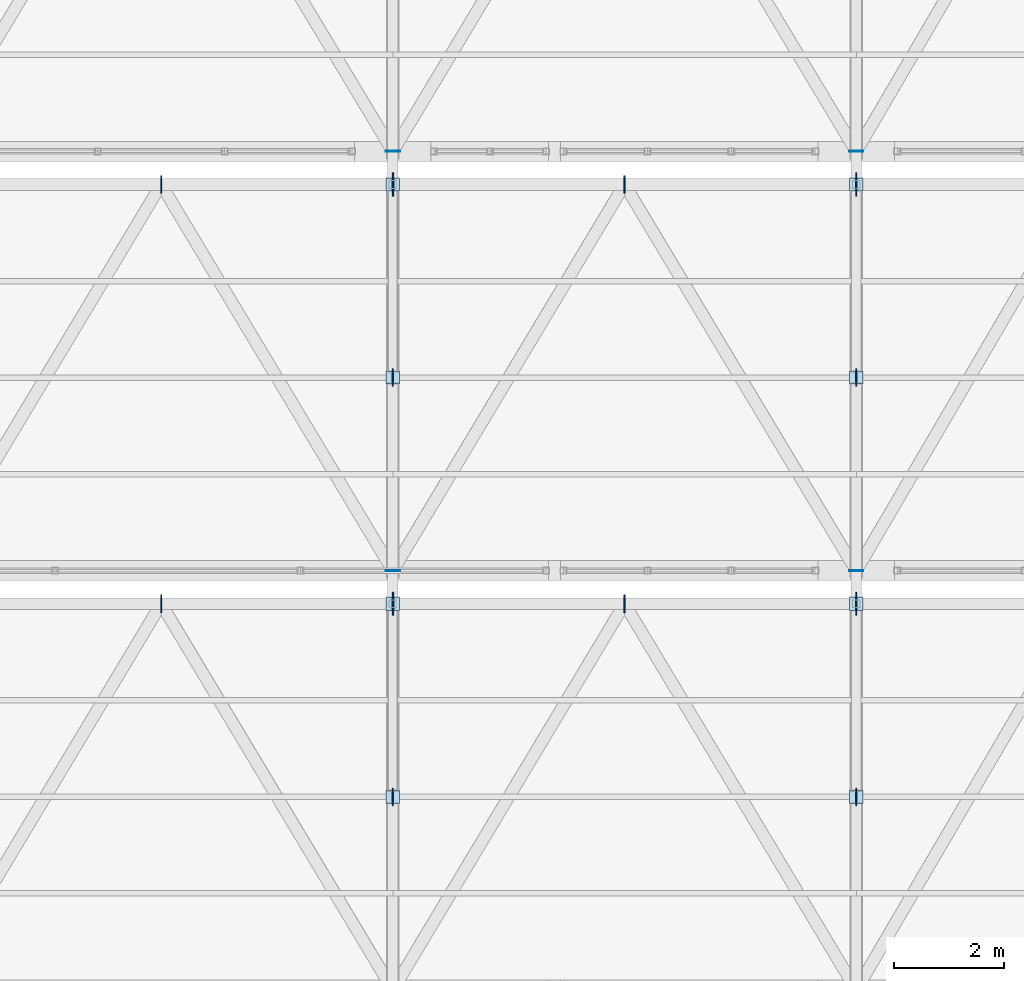
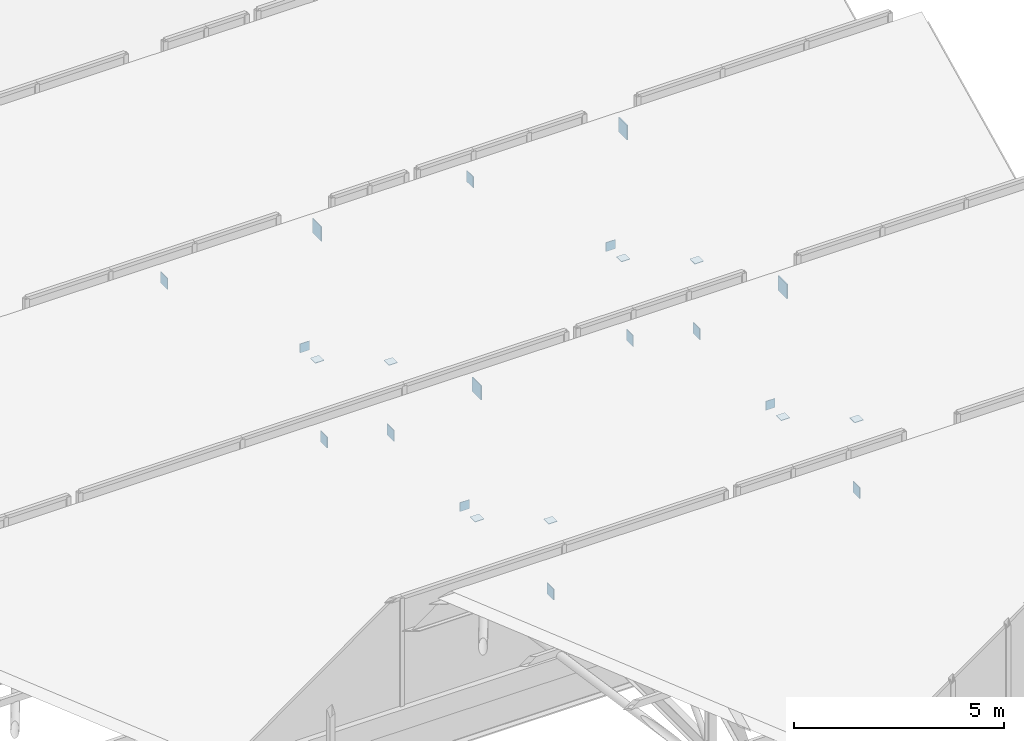
# One storey, part 47 of 57: 24 plates.
"""IFC4 building model written with IfcOpenShell, lengths in metres."""

from ifc_helpers import new_model, si_unit, direction, frame, origin, origin_2d, place, context, subcontext, project, spatial, rectangle, extrude, material, layer, layer_set, type_object, element, save


model = new_model("IFC4")

# Units and contexts
model_context = context("Model", 3, precision=1e-05, world=origin(), true_north=direction((0.0, 1.0)))
body_context = subcontext(model_context, "Body", "Model", "MODEL_VIEW")
ifc_project = project(units=[si_unit("LENGTHUNIT", "METRE"), si_unit("AREAUNIT", "SQUARE_METRE"), si_unit("VOLUMEUNIT", "CUBIC_METRE"), si_unit("PLANEANGLEUNIT", "RADIAN"), si_unit("MASSUNIT", "GRAM", prefix="KILO")], contexts=[model_context])

# Site, building, storey
site_placement = place(None, origin())
site = spatial("IfcSite", under=ifc_project, at=site_placement, CompositionType="ELEMENT")
building_placement = place(site_placement, origin())
building = spatial("IfcBuilding", under=site, at=building_placement, Name="Zuvorla Pavilion Media Centre", CompositionType="ELEMENT")
storey_placement = place(building_placement, frame((0.0, 0.0, 18.0)))
storey = spatial("IfcBuildingStorey", under=building, at=storey_placement, Name="L04", CompositionType="ELEMENT", Elevation=18.0)

# Plates
ifc_material = material(Name="Steel S355", Category="steel")
ifc_layer_1 = layer(ifc_material, 0.01611328125)
ifc_layer_set_1 = layer_set([ifc_layer_1], Name="Steel S355")
plate_type_1 = type_object("IfcPlateType", Name="PLT-CAP-16", PredefinedType="USERDEFINED", material=ifc_layer_set_1)
for number, where, z_axis, x_axis, name in (
    (1, (142.39990234375, 28.800048828125, -1.009765625), (0.0, 0.0, 1.0), (1.0, 0.0, 0.0), "L04 cap plate CP16 134"),
    (2, (150.800048828125, 28.800048828125, -1.009765625), (0.0, 0.0, 1.0), (1.0, 0.0, 0.0), "L04 cap plate CP16 136"),
    (3, (142.39990234375, 36.39990234375, -1.009765625), (0.0, 0.0, 1.0), (1.0, 0.0, 0.0), "L04 cap plate CP16 146"),
    (4, (150.800048828125, 36.39990234375, -1.009765625), (0.0, 0.0, 1.0), (1.0, 0.0, 0.0), "L04 cap plate CP16 148"),
):
    element("IfcPlate", number, at=place(storey_placement, frame(where, z_axis=z_axis, x_axis=x_axis)), inside=storey, type_object=plate_type_1, Name=name, ObjectType="CAP_PLATE", PredefinedType="USERDEFINED", context=body_context, shape_type="SweptSolid", body=[
        extrude(rectangle(XDim=0.260009765625, YDim=0.01611328125, at=origin_2d()), origin(), (0.0, 0.0, 1.0), 0.260009765625),
    ])
for number, where, z_axis, x_axis, name in (
    (5, (142.39990234375, 28.199951171875, -0.887939453125), (0.0, 0.0, 1.0), (1.0, 0.0, 0.0), "L04 cap plate CP16 447"),
    (6, (142.39990234375, 24.699951171875, 1.171875), (0.0, 0.0, 1.0), (1.0, 0.0, 0.0), "L04 cap plate CP16 449"),
    (7, (150.800048828125, 28.199951171875, -0.887939453125), (0.0, 0.0, 1.0), (1.0, 0.0, 0.0), "L04 cap plate CP16 450"),
    (8, (150.800048828125, 24.699951171875, 1.171875), (0.0, 0.0, 1.0), (1.0, 0.0, 0.0), "L04 cap plate CP16 452"),
    (9, (142.39990234375, 35.800048828125, -0.887939453125), (0.0, 0.0, 1.0), (1.0, 0.0, 0.0), "L04 cap plate CP16 470"),
    (10, (142.39990234375, 32.300048828125, 1.171875), (0.0, 0.0, 1.0), (1.0, 0.0, 0.0), "L04 cap plate CP16 472"),
    (11, (150.800048828125, 35.800048828125, -0.887939453125), (0.0, 0.0, 1.0), (1.0, 0.0, 0.0), "L04 cap plate CP16 473"),
    (12, (150.800048828125, 32.300048828125, 1.171875), (0.0, 0.0, 1.0), (1.0, 0.0, 0.0), "L04 cap plate CP16 475"),
):
    element("IfcPlate", number, at=place(storey_placement, frame(where, z_axis=z_axis, x_axis=x_axis)), inside=storey, type_object=plate_type_1, Name=name, ObjectType="CAP_PLATE", PredefinedType="USERDEFINED", context=body_context, shape_type="SweptSolid", body=[
        extrude(rectangle(XDim=0.239990234375, YDim=0.239990234375, at=origin_2d()), origin(), (0.0, 0.0, 1.0), 0.01611328125),
    ])
ifc_layer_2 = layer(ifc_material, 0.02001953125)
ifc_layer_set_2 = layer_set([ifc_layer_2], Name="Steel S355")
plate_type_2 = type_object("IfcPlateType", Name="PLT-GUS-20", PredefinedType="USERDEFINED", material=ifc_layer_set_2)
for number, where, z_axis, x_axis, name in (
    (13, (142.39990234375, 24.699951171875, -1.0400390625), (0.0, 0.0, 1.0), (1.0, 0.0, 0.0), "L04 gusset plate GP20 448"),
    (14, (150.800048828125, 24.699951171875, -1.0400390625), (0.0, 0.0, 1.0), (1.0, 0.0, 0.0), "L04 gusset plate GP20 451"),
    (15, (138.199951171875, 28.199951171875, 2.7197265625), (0.0, 0.0, 1.0), (1.0, 0.0, 0.0), "L04 gusset plate GP20 458"),
    (16, (146.60009765625, 28.199951171875, 2.7197265625), (0.0, 0.0, 1.0), (1.0, 0.0, 0.0), "L04 gusset plate GP20 459"),
    (17, (142.39990234375, 32.300048828125, -1.0400390625), (0.0, 0.0, 1.0), (1.0, 0.0, 0.0), "L04 gusset plate GP20 471"),
    (18, (150.800048828125, 32.300048828125, -1.0400390625), (0.0, 0.0, 1.0), (1.0, 0.0, 0.0), "L04 gusset plate GP20 474"),
    (19, (138.199951171875, 35.800048828125, 2.7197265625), (0.0, 0.0, 1.0), (1.0, 0.0, 0.0), "L04 gusset plate GP20 481"),
    (20, (146.60009765625, 35.800048828125, 2.7197265625), (0.0, 0.0, 1.0), (1.0, 0.0, 0.0), "L04 gusset plate GP20 482"),
):
    element("IfcPlate", number, at=place(storey_placement, frame(where, z_axis=z_axis, x_axis=x_axis)), inside=storey, type_object=plate_type_2, Name=name, ObjectType="GUSSET_PLATE", PredefinedType="USERDEFINED", context=body_context, shape_type="SweptSolid", body=[
        extrude(rectangle(XDim=0.02001953125, YDim=0.320068359375, at=origin_2d()), origin(), (0.0, 0.0, 1.0), 0.320068359375),
    ])
ifc_layer_3 = layer(ifc_material, 0.02490234375)
ifc_layer_set_3 = layer_set([ifc_layer_3], Name="Steel S355")
plate_type_3 = type_object("IfcPlateType", Name="PLT-GUS-25", PredefinedType="USERDEFINED", material=ifc_layer_set_3)
for number, where, z_axis, x_axis, name in (
    (21, (142.39990234375, 28.199951171875, 2.672119140625), (0.0, 0.0, 1.0), (1.0, 0.0, 0.0), "L04 gusset plate GP25 121"),
    (22, (150.800048828125, 28.199951171875, 2.672119140625), (0.0, 0.0, 1.0), (1.0, 0.0, 0.0), "L04 gusset plate GP25 123"),
    (23, (142.39990234375, 35.800048828125, 2.672119140625), (0.0, 0.0, 1.0), (1.0, 0.0, 0.0), "L04 gusset plate GP25 133"),
    (24, (150.800048828125, 35.800048828125, 2.672119140625), (0.0, 0.0, 1.0), (1.0, 0.0, 0.0), "L04 gusset plate GP25 135"),
):
    element("IfcPlate", number, at=place(storey_placement, frame(where, z_axis=z_axis, x_axis=x_axis)), inside=storey, type_object=plate_type_3, Name=name, ObjectType="GUSSET_PLATE", PredefinedType="USERDEFINED", context=body_context, shape_type="SweptSolid", body=[
        extrude(rectangle(XDim=0.02490234375, YDim=0.419921875, at=origin_2d()), origin(), (0.0, 0.0, 1.0), 0.419921875),
    ])

save(model, "model.ifc")
